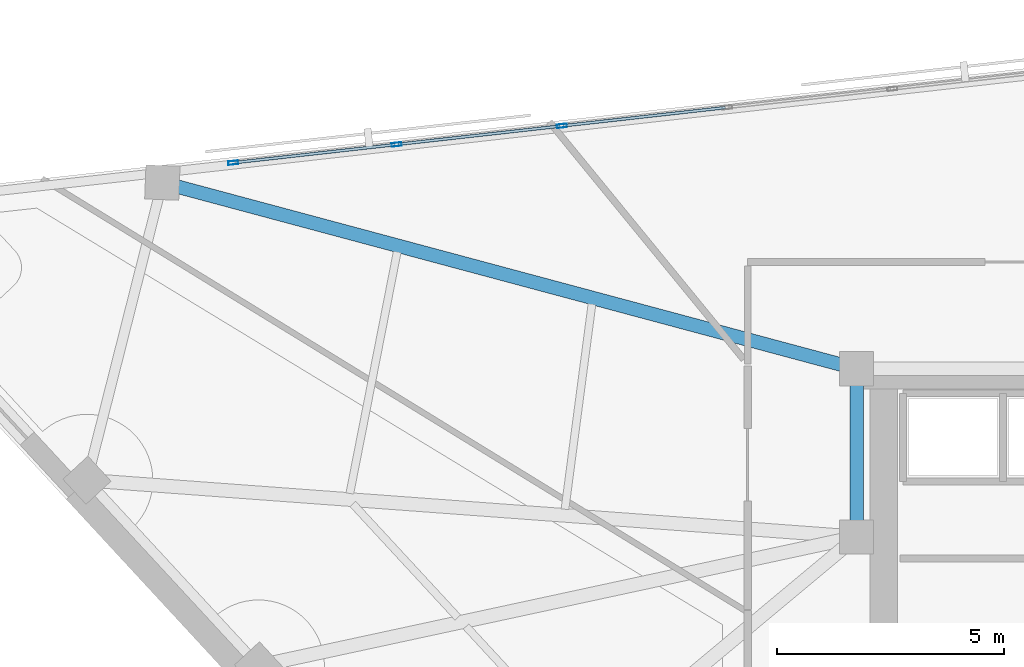
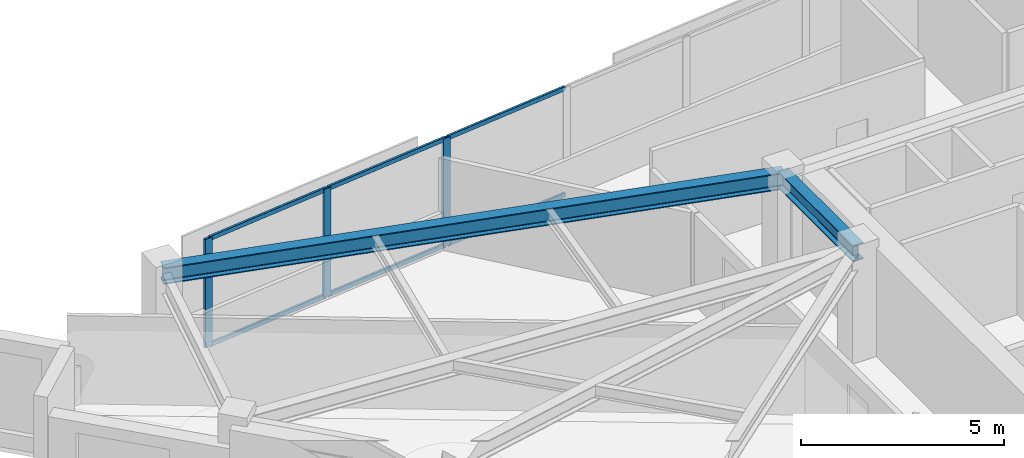
# One storey, part 2 of 13: 9 members, 2 beams, 1 element without a shape of its own.
"""IFC4 building model written with IfcOpenShell, lengths in metres."""

from ifc_helpers import new_model, si_unit, direction, frame, origin, origin_2d, place, context, subcontext, project, spatial, hollow_rectangle, i_section, extrude, material, material_profile, profile_set, type_object, element, aggregate, save


model = new_model("IFC4")

# Units and contexts
model_context = context("Model", 3, precision=1e-05, world=origin(), true_north=direction((0.0, 1.0)))
body_context = subcontext(model_context, "Body", "Model", "MODEL_VIEW")
ifc_project = project(units=[si_unit("LENGTHUNIT", "METRE"), si_unit("AREAUNIT", "SQUARE_METRE"), si_unit("VOLUMEUNIT", "CUBIC_METRE"), si_unit("PLANEANGLEUNIT", "RADIAN"), si_unit("MASSUNIT", "GRAM", prefix="KILO")], contexts=[model_context])

# Site, building, storey
site_placement = place(None, origin())
site = spatial("IfcSite", under=ifc_project, at=site_placement, CompositionType="ELEMENT")
building_placement = place(site_placement, origin())
building = spatial("IfcBuilding", under=site, at=building_placement, Name="Narakoshi Arena Tower", CompositionType="ELEMENT")
storey_placement = place(building_placement, frame((0.0, 0.0, 274.820068359375)))
storey = spatial("IfcBuildingStorey", under=building, at=storey_placement, Name="L75", CompositionType="ELEMENT", Elevation=274.820068359375)

# Beams
ifc_material_1 = material(Name="Structural steel S355J2", Category="steel")
ifc_material_profile_1 = material_profile(ifc_material_1, i_section(OverallWidth=0.300048828125, OverallDepth=0.5, WebThickness=0.014404296875, FlangeThickness=0.028076171875, FilletRadius=0.027099609375, at=origin_2d()), Name="HE500B")
ifc_profile_set_1 = profile_set([ifc_material_profile_1], Name="Structural steel S355J2")
beam_type = type_object("IfcBeamType", Name="BM-PRI-500", PredefinedType="BEAM", material=ifc_profile_set_1)
beam_1_placement = place(storey_placement, frame((72.0, 56.5, 3.010009765625), z_axis=(-0.965877018817, 0.259001128418, 0.0), x_axis=(-0.259001128418, -0.965877018817, 0.0)))
element("IfcBeam", 1, at=beam_1_placement, inside=storey, type_object=beam_type, Name="L75 Radial Primary Floor Girder 08", PredefinedType="BEAM", context=body_context, shape_type="SweptSolid", body=[
    extrude(i_section(OverallWidth=0.300048828125, OverallDepth=0.5, WebThickness=0.014404296875, FlangeThickness=0.028076171875, FilletRadius=0.027099609375, at=origin_2d()), origin(), (0.0, 0.0, 1.0), 15.822998046875),
])
beam_2_placement = place(storey_placement, frame((72.0, 52.800048828125, 3.010009765625), z_axis=(0.0, 1.0, 0.0), x_axis=(-1.0, 0.0, 0.0)))
element("IfcBeam", 2, at=beam_2_placement, inside=storey, type_object=beam_type, Name="L75 Core Perimeter Frame Beam CC4-CC5", PredefinedType="BEAM", context=body_context, shape_type="SweptSolid", body=[
    extrude(i_section(OverallWidth=0.300048828125, OverallDepth=0.5, WebThickness=0.014404296875, FlangeThickness=0.028076171875, FilletRadius=0.027099609375, at=origin_2d()), origin(), (0.0, 0.0, 1.0), 3.699951171875),
])

# Curtain wall, members
ifc_material_2 = material(Name="Anodised bronze aluminium 6063-T6", Category="aluminium")
curtain_wall_type = type_object("IfcCurtainWallType", Name="CW-HYP-HIGH", PredefinedType="NOTDEFINED", material=ifc_material_2)
curtain_wall_placement = place(storey_placement, origin())
curtain_wall = element("IfcCurtainWall", 3, at=curtain_wall_placement, inside=storey, type_object=curtain_wall_type, Name="L75 Folded Hypotenuse Curtain Wall 2-1", PredefinedType="NOTDEFINED")
ifc_material_profile_2 = material_profile(ifc_material_2, hollow_rectangle(XDim=0.080078125, YDim=0.219970703125, WallThickness=0.0048828125, OuterFilletRadius=0.006103515625, at=origin_2d()), Name="MUL220x80x5")
ifc_profile_set_2 = profile_set([ifc_material_profile_2], Name="Anodised bronze aluminium 6063-T6")
member_type_1 = type_object("IfcMemberType", Name="MEM-MUL-220", PredefinedType="MULLION", material=ifc_profile_set_2)
member_1_placement = place(storey_placement, frame((65.51123046875, 61.845458984375, 0.0), z_axis=(0.0, 0.0, 1.0), x_axis=(0.111396496086, -0.9937760415, 0.0)))
member_1 = element("IfcMember", 4, at=member_1_placement, type_object=member_type_1, Name="CW-03 mullion 5", PredefinedType="MULLION", context=body_context, shape_type="SweptSolid", body=[
    extrude(hollow_rectangle(XDim=0.080078125, YDim=0.219970703125, WallThickness=0.0048828125, OuterFilletRadius=0.006103515625, at=origin_2d()), origin(), (0.0, 0.0, 1.0), 3.260009765625),
])
member_2_placement = place(storey_placement, frame((61.873779296875, 61.437744140625, 0.0), z_axis=(0.0, 0.0, 1.0), x_axis=(0.111396496086, -0.9937760415, 0.0)))
member_2 = element("IfcMember", 5, at=member_2_placement, type_object=member_type_1, Name="CW-03 mullion 6", PredefinedType="MULLION", context=body_context, shape_type="SweptSolid", body=[
    extrude(hollow_rectangle(XDim=0.080078125, YDim=0.219970703125, WallThickness=0.0048828125, OuterFilletRadius=0.006103515625, at=origin_2d()), origin(), (0.0, 0.0, 1.0), 3.260009765625),
])
member_3_placement = place(storey_placement, frame((58.27587890625, 61.034423828125, 0.0), z_axis=(0.0, 0.0, 1.0), x_axis=(0.111396496086, -0.9937760415, 0.0)))
member_3 = element("IfcMember", 6, at=member_3_placement, type_object=member_type_1, Name="CW-03 mullion 7", PredefinedType="MULLION", context=body_context, shape_type="SweptSolid", body=[
    extrude(hollow_rectangle(XDim=0.080078125, YDim=0.219970703125, WallThickness=0.0048828125, OuterFilletRadius=0.006103515625, at=origin_2d()), origin(), (0.0, 0.0, 1.0), 3.260009765625),
])
ifc_material_profile_3 = material_profile(ifc_material_2, hollow_rectangle(XDim=0.06494140625, YDim=0.1298828125, WallThickness=0.00390625, OuterFilletRadius=0.0048828125, at=origin_2d()), Name="TRN130x65x4")
ifc_profile_set_3 = profile_set([ifc_material_profile_3], Name="Anodised bronze aluminium 6063-T6")
member_type_2 = type_object("IfcMemberType", Name="MEM-TRN-130", PredefinedType="USERDEFINED", material=ifc_profile_set_3)
member_4_placement = place(storey_placement, frame((69.109130859375, 62.248779296875, 0.032470703125), z_axis=(-0.99377347748, -0.111419367518, 0.0), x_axis=(0.111419367518, -0.99377347748, 0.0)))
member_4 = element("IfcMember", 7, at=member_4_placement, type_object=member_type_2, Name="CW-03 transom 4.1", ObjectType="TRANSOM", PredefinedType="USERDEFINED", context=body_context, shape_type="SweptSolid", body=[
    extrude(hollow_rectangle(XDim=0.06494140625, YDim=0.1298828125, WallThickness=0.00390625, OuterFilletRadius=0.0048828125, at=origin_2d()), origin(), (0.0, 0.0, 1.0), 3.580322265625),
])
member_5_placement = place(storey_placement, frame((69.109130859375, 62.248779296875, 3.2275390625), z_axis=(-0.99377347748, -0.111419367518, 0.0), x_axis=(0.111419367518, -0.99377347748, 0.0)))
member_5 = element("IfcMember", 8, at=member_5_placement, type_object=member_type_2, Name="CW-03 transom 4.2", ObjectType="TRANSOM", PredefinedType="USERDEFINED", context=body_context, shape_type="SweptSolid", body=[
    extrude(hollow_rectangle(XDim=0.06494140625, YDim=0.1298828125, WallThickness=0.00390625, OuterFilletRadius=0.0048828125, at=origin_2d()), origin(), (0.0, 0.0, 1.0), 3.580322265625),
])
member_6_placement = place(storey_placement, frame((65.471435546875, 61.841064453125, 0.032470703125), z_axis=(-0.99377347748, -0.111419367518, 0.0), x_axis=(0.111419367518, -0.99377347748, 0.0)))
member_6 = element("IfcMember", 9, at=member_6_placement, type_object=member_type_2, Name="CW-03 transom 5.1", ObjectType="TRANSOM", PredefinedType="USERDEFINED", context=body_context, shape_type="SweptSolid", body=[
    extrude(hollow_rectangle(XDim=0.06494140625, YDim=0.1298828125, WallThickness=0.00390625, OuterFilletRadius=0.0048828125, at=origin_2d()), origin(), (0.0, 0.0, 1.0), 3.580322265625),
])
member_7_placement = place(storey_placement, frame((65.471435546875, 61.841064453125, 3.2275390625), z_axis=(-0.99377347748, -0.111419367518, 0.0), x_axis=(0.111419367518, -0.99377347748, 0.0)))
member_7 = element("IfcMember", 10, at=member_7_placement, type_object=member_type_2, Name="CW-03 transom 5.2", ObjectType="TRANSOM", PredefinedType="USERDEFINED", context=body_context, shape_type="SweptSolid", body=[
    extrude(hollow_rectangle(XDim=0.06494140625, YDim=0.1298828125, WallThickness=0.00390625, OuterFilletRadius=0.0048828125, at=origin_2d()), origin(), (0.0, 0.0, 1.0), 3.580322265625),
])
member_8_placement = place(storey_placement, frame((61.833984375, 61.433349609375, 0.032470703125), z_axis=(-0.9937713764, -0.11143810591, 0.0), x_axis=(0.11143810591, -0.9937713764, 0.0)))
member_8 = element("IfcMember", 11, at=member_8_placement, type_object=member_type_2, Name="CW-03 transom 6.1", ObjectType="TRANSOM", PredefinedType="USERDEFINED", context=body_context, shape_type="SweptSolid", body=[
    extrude(hollow_rectangle(XDim=0.06494140625, YDim=0.1298828125, WallThickness=0.00390625, OuterFilletRadius=0.0048828125, at=origin_2d()), origin(), (0.0, 0.0, 1.0), 3.540283203125),
])
member_9_placement = place(storey_placement, frame((61.833984375, 61.433349609375, 3.2275390625), z_axis=(-0.9937713764, -0.11143810591, 0.0), x_axis=(0.11143810591, -0.9937713764, 0.0)))
member_9 = element("IfcMember", 12, at=member_9_placement, type_object=member_type_2, Name="CW-03 transom 6.2", ObjectType="TRANSOM", PredefinedType="USERDEFINED", context=body_context, shape_type="SweptSolid", body=[
    extrude(hollow_rectangle(XDim=0.06494140625, YDim=0.1298828125, WallThickness=0.00390625, OuterFilletRadius=0.0048828125, at=origin_2d()), origin(), (0.0, 0.0, 1.0), 3.540283203125),
])
aggregate(curtain_wall, [member_1, member_2, member_3, member_4, member_5, member_6, member_7, member_8, member_9])

save(model, "model.ifc")
